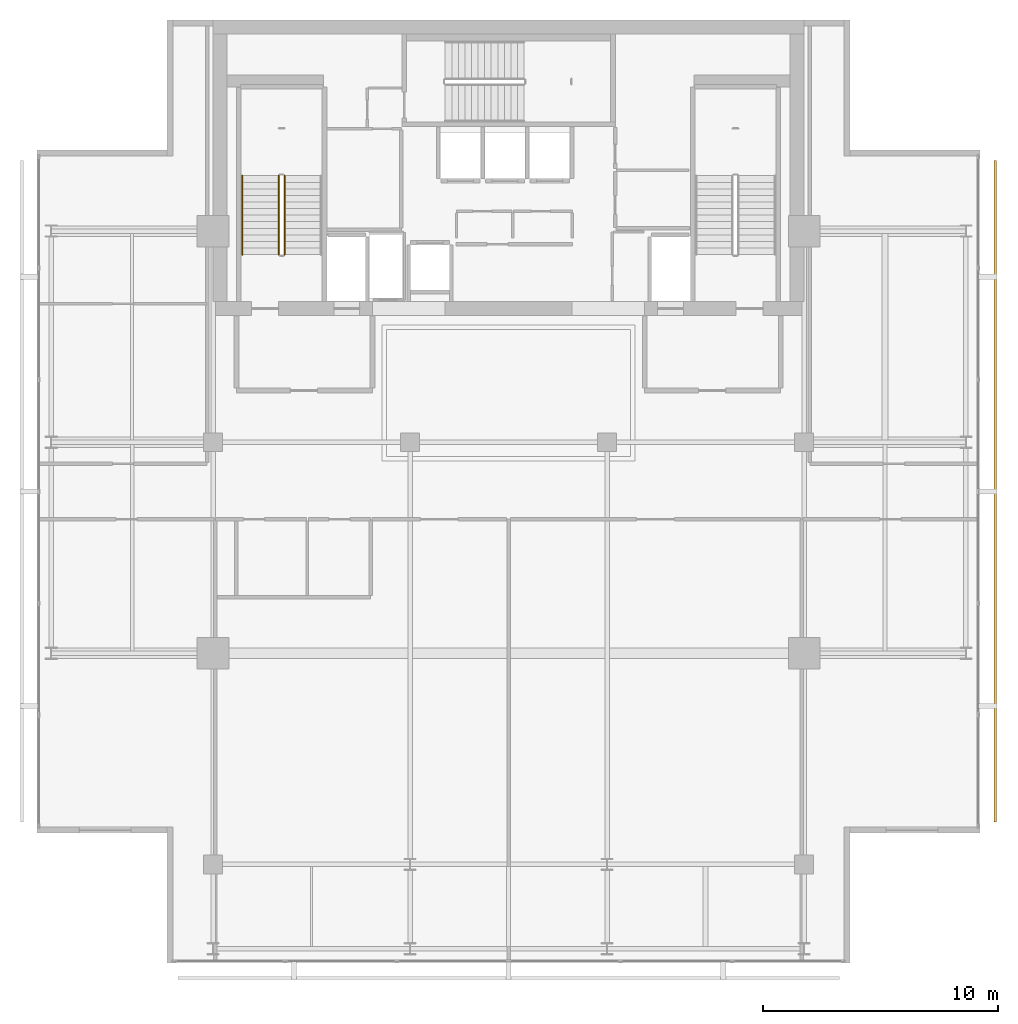
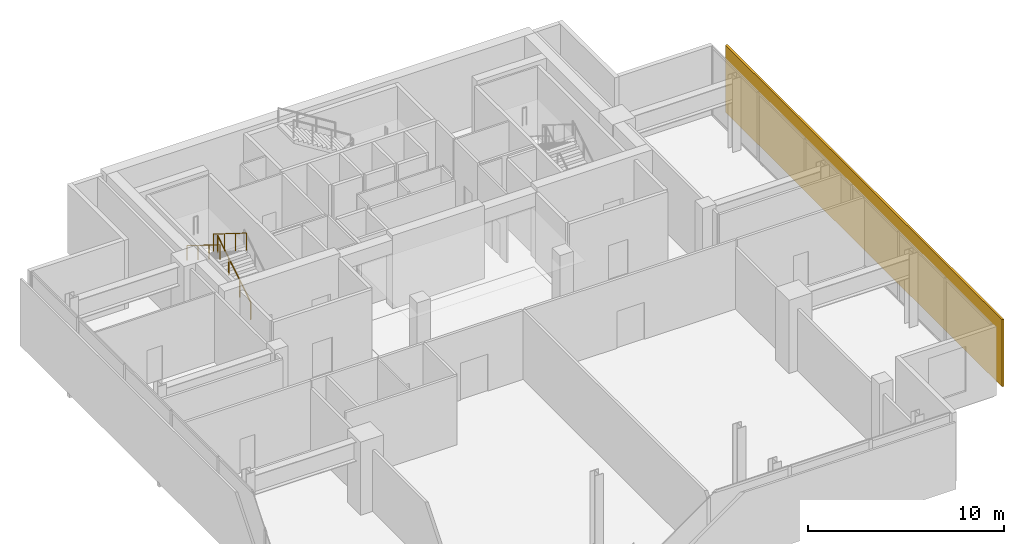
# One storey, part 22 of 23: 3 railings, 1 shading device.
"""IFC4 building model written with IfcOpenShell, lengths in metres."""

from ifc_helpers import new_model, si_unit, direction, frame, origin, origin_2d, place, context, subcontext, project, spatial, rectangle, circle, extrude, material, layer, layer_set, type_object, element, save


model = new_model("IFC4")

# Units and contexts
model_context = context("Model", 3, precision=1e-05, world=origin(), true_north=direction((0.0, 1.0)))
body_context = subcontext(model_context, "Body", "Model", "MODEL_VIEW")
ifc_project = project(units=[si_unit("LENGTHUNIT", "METRE"), si_unit("AREAUNIT", "SQUARE_METRE"), si_unit("VOLUMEUNIT", "CUBIC_METRE"), si_unit("PLANEANGLEUNIT", "RADIAN"), si_unit("MASSUNIT", "GRAM", prefix="KILO")], contexts=[model_context])

# Site, building, storey
site_placement = place(None, origin())
site = spatial("IfcSite", under=ifc_project, at=site_placement, CompositionType="ELEMENT")
building_placement = place(site_placement, origin())
building = spatial("IfcBuilding", under=site, at=building_placement, Name="Maruvema Waterfront Hotel and Observation Tower", CompositionType="ELEMENT")
storey_placement = place(building_placement, frame((0.0, 0.0, 349.64990234375)))
storey = spatial("IfcBuildingStorey", under=building, at=storey_placement, Name="L86", CompositionType="ELEMENT", Elevation=349.64990234375)

# Railings
ifc_material_1 = material(Name="Brushed stainless steel Grade 316", Category="steel")
railing_type_1 = type_object("IfcRailingType", Name="Ramp Continuous Wall Handrail 920 mm", PredefinedType="HANDRAIL", material=ifc_material_1)
railing_1_placement = place(storey_placement, frame((26.449951171875, 47.360107421875, 2.4501953125)))
element("IfcRailing", 1, at=railing_1_placement, inside=storey, type_object=railing_type_1, Name="L86 ST-01 stair handrail 2", PredefinedType="HANDRAIL", context=body_context, shape_type="SweptSolid", body=[
    extrude(circle(Radius=0.02392578125, at=origin_2d()), frame((0.0, 0.0, 0.89599609375), z_axis=(0.0, -0.848022534174, 0.529960169762), x_axis=(1.0, 0.0, 0.0)), (0.0, 0.0, 1.0), 3.96240234375),
    extrude(circle(Radius=0.02099609375, at=origin_2d()), origin(), (0.0, 0.0, 1.0), 0.871826171875),
    extrude(circle(Radius=0.02099609375, at=origin_2d()), frame((0.0, -1.1201171875, 0.699951171875)), (0.0, 0.0, 1.0), 0.871826171875),
    extrude(circle(Radius=0.02099609375, at=origin_2d()), frame((0.0, -2.239990234375, 1.39990234375)), (0.0, 0.0, 1.0), 0.871826171875),
    extrude(circle(Radius=0.02099609375, at=origin_2d()), frame((0.0, -3.360107421875, 2.099853515625)), (0.0, 0.0, 1.0), 0.871826171875),
])
ifc_material_2 = material(Name="Brushed stainless steel Grade 316", Category="steel")
railing_type_2 = type_object("IfcRailingType", Name="Ramp and Terrace Guard Balustrade 1100 mm", PredefinedType="BALUSTRADE", material=ifc_material_2)
railing_2_placement = place(storey_placement, frame((28.25, 44.0, 0.175048828125)))
element("IfcRailing", 2, at=railing_2_placement, inside=storey, type_object=railing_type_2, Name="L86 ST-01 stair guard 1", PredefinedType="BALUSTRADE", context=body_context, shape_type="SweptSolid", body=[
    extrude(circle(Radius=0.02392578125, at=origin_2d()), frame((0.0, 0.0, 1.076171875), z_axis=(0.0, 0.847994842521, 0.530004478338), x_axis=(-1.0, 0.0, 0.0)), (0.0, 0.0, 1.0), 3.96240234375),
    extrude(circle(Radius=0.02099609375, at=origin_2d()), origin(), (0.0, 0.0, 1.0), 1.052001953125),
    extrude(circle(Radius=0.02099609375, at=origin_2d()), frame((0.0, 1.1201171875, 0.699951171875)), (0.0, 0.0, 1.0), 1.052001953125),
    extrude(circle(Radius=0.02099609375, at=origin_2d()), frame((0.0, 2.239990234375, 1.400146484375)), (0.0, 0.0, 1.0), 1.052001953125),
    extrude(circle(Radius=0.02099609375, at=origin_2d()), frame((0.0, 3.360107421875, 2.10009765625)), (0.0, 0.0, 1.0), 1.052001953125),
])
railing_3_placement = place(storey_placement, frame((28.0, 47.360107421875, 2.4501953125)))
element("IfcRailing", 3, at=railing_3_placement, inside=storey, type_object=railing_type_2, Name="L86 ST-01 stair guard 3", PredefinedType="BALUSTRADE", context=body_context, shape_type="SweptSolid", body=[
    extrude(circle(Radius=0.02392578125, at=origin_2d()), frame((0.0, 0.0, 1.076171875), z_axis=(0.0, -0.848022534174, 0.529960169762), x_axis=(1.0, 0.0, 0.0)), (0.0, 0.0, 1.0), 3.96240234375),
    extrude(circle(Radius=0.02099609375, at=origin_2d()), origin(), (0.0, 0.0, 1.0), 1.052001953125),
    extrude(circle(Radius=0.02099609375, at=origin_2d()), frame((0.0, -1.1201171875, 0.699951171875)), (0.0, 0.0, 1.0), 1.052001953125),
    extrude(circle(Radius=0.02099609375, at=origin_2d()), frame((0.0, -2.239990234375, 1.39990234375)), (0.0, 0.0, 1.0), 1.052001953125),
    extrude(circle(Radius=0.02099609375, at=origin_2d()), frame((0.0, -3.360107421875, 2.099853515625)), (0.0, 0.0, 1.0), 1.052001953125),
])

# Shading device
ifc_material_3 = material(Name="Honed travertine stone and anodised architectural bronze", Category="masonry")
ifc_layer = layer(ifc_material_3, 0.1201171875, Name="Ventilated Outer Skin Cobogo Stone-and-Bronze Screen 120 mm")
ifc_layer_set = layer_set([ifc_layer], Name="Honed travertine stone and anodised architectural bronze")
shading_device_type = type_object("IfcShadingDeviceType", Name="Ventilated Outer Skin Cobogo Stone-and-Bronze Screen 120 mm", PredefinedType="USERDEFINED", material=ifc_layer_set)
shading_device_placement = place(storey_placement, frame((58.550048828125, 33.89990234375, 0.06005859375), z_axis=(0.0, 0.0, 1.0), x_axis=(0.0, 1.0, 0.0)))
element("IfcShadingDevice", 4, at=shading_device_placement, inside=storey, type_object=shading_device_type, Name="L86 Ventilated Double-Skin Outer Cobogo Screen OS-L86-E", ObjectType="OUTER SKIN SCREEN", PredefinedType="USERDEFINED", context=body_context, shape_type="SweptSolid", body=[
    extrude(rectangle(XDim=28.199951171875, YDim=0.1201171875, at=origin_2d()), origin(), (0.0, 0.0, 1.0), 4.169921875),
])

save(model, "model.ifc")
